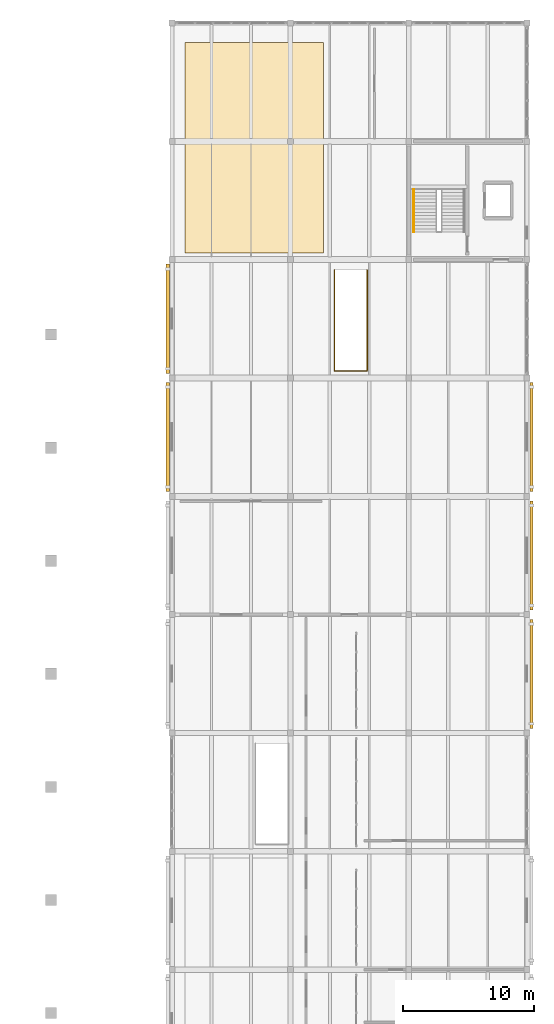
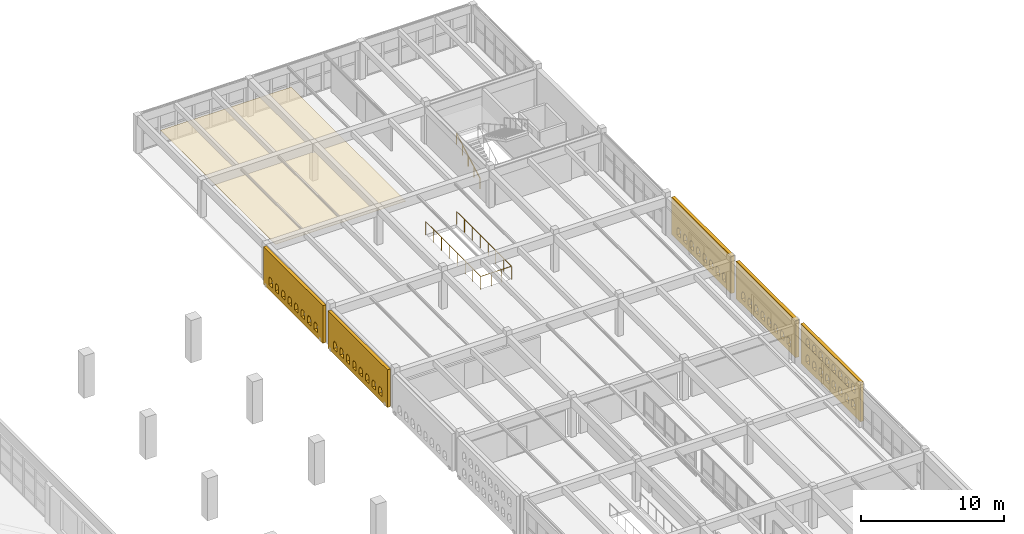
# One storey, part 79 of 80: 6 coverings, 2 railings.
"""IFC4 building model written with IfcOpenShell, lengths in metres."""

from ifc_helpers import new_model, si_unit, direction, frame, origin, origin_2d, place, context, subcontext, project, spatial, polyline, circle, outline, extrude, material, layer, layer_set, type_object, element, save


model = new_model("IFC4")

# Units and contexts
model_context = context("Model", 3, precision=1e-05, world=origin(), true_north=direction((0.0, 1.0)))
body_context = subcontext(model_context, "Body", "Model", "MODEL_VIEW")
ifc_project = project(units=[si_unit("LENGTHUNIT", "METRE"), si_unit("AREAUNIT", "SQUARE_METRE"), si_unit("VOLUMEUNIT", "CUBIC_METRE"), si_unit("PLANEANGLEUNIT", "RADIAN"), si_unit("MASSUNIT", "GRAM", prefix="KILO")], contexts=[model_context])

# Site, building, storey
site_placement = place(None, origin())
site = spatial("IfcSite", under=ifc_project, at=site_placement, CompositionType="ELEMENT")
building_placement = place(site_placement, origin())
building = spatial("IfcBuilding", under=site, at=building_placement, Name="Ornek Quay Market", CompositionType="ELEMENT")
storey_placement = place(building_placement, frame((0.0, 0.0, 8.39990234375)))
storey = spatial("IfcBuildingStorey", under=building, at=storey_placement, Name="L02", CompositionType="ELEMENT", Elevation=8.39990234375)

# Coverings
ifc_material_1 = material(Name="Frost-resistant facing clay brick M200 F100", Category="masonry")
ifc_layer_1 = layer(ifc_material_1, 0.25, Name="Frost-resistant facing clay brick M200 F100", Category="masonry")
ifc_layer_set_1 = layer_set([ifc_layer_1], Name="Frost-resistant facing clay brick M200 F100")
covering_type_1 = type_object("IfcCoveringType", Name="COV-BRICK-LATTICE-250", PredefinedType="CLADDING", material=ifc_layer_set_1)
covering_1_placement = place(storey_placement, frame((152.669921875, 74.35009765625, 0.0), z_axis=(0.0, 0.0, 1.0), x_axis=(0.0, 1.0, 0.0)))
element("IfcCovering", 1, at=covering_1_placement, inside=storey, type_object=covering_type_1, Name="Arched brick lattice screen BLS-080", PredefinedType="CLADDING", context=body_context, shape_type="SweptSolid", body=[
    extrude(outline(polyline([(0.0, 0.0), (8.2998046875, 0.0), (8.2998046875, 3.2001953125), (0.0, 3.2001953125), (0.0, 0.0)]), holes=[polyline([(0.760009765625, 0.449951171875), (1.239990234375, 0.449951171875), (1.239990234375, 0.949951171875), (1.1201171875, 1.15771484375), (0.8798828125, 1.15771484375), (0.760009765625, 0.949951171875), (0.760009765625, 0.449951171875)]), polyline([(1.659912109375, 0.449951171875), (2.139892578125, 0.449951171875), (2.139892578125, 0.949951171875), (2.02001953125, 1.15771484375), (1.780029296875, 1.15771484375), (1.659912109375, 0.949951171875), (1.659912109375, 0.449951171875)]), polyline([(2.56005859375, 0.449951171875), (3.0400390625, 0.449951171875), (3.0400390625, 0.949951171875), (2.919921875, 1.15771484375), (2.679931640625, 1.15771484375), (2.56005859375, 0.949951171875), (2.56005859375, 0.449951171875)]), polyline([(3.4599609375, 0.449951171875), (3.93994140625, 0.449951171875), (3.93994140625, 0.949951171875), (3.820068359375, 1.15771484375), (3.580078125, 1.15771484375), (3.4599609375, 0.949951171875), (3.4599609375, 0.449951171875)]), polyline([(4.360107421875, 0.449951171875), (4.840087890625, 0.449951171875), (4.840087890625, 0.949951171875), (4.719970703125, 1.15771484375), (4.47998046875, 1.15771484375), (4.360107421875, 0.949951171875), (4.360107421875, 0.449951171875)]), polyline([(5.260009765625, 0.449951171875), (5.739990234375, 0.449951171875), (5.739990234375, 0.949951171875), (5.6201171875, 1.15771484375), (5.3798828125, 1.15771484375), (5.260009765625, 0.949951171875), (5.260009765625, 0.449951171875)]), polyline([(6.159912109375, 0.449951171875), (6.639892578125, 0.449951171875), (6.639892578125, 0.949951171875), (6.52001953125, 1.15771484375), (6.280029296875, 1.15771484375), (6.159912109375, 0.949951171875), (6.159912109375, 0.449951171875)]), polyline([(7.06005859375, 0.449951171875), (7.5400390625, 0.449951171875), (7.5400390625, 0.949951171875), (7.419921875, 1.15771484375), (7.179931640625, 1.15771484375), (7.06005859375, 0.949951171875), (7.06005859375, 0.449951171875)])]), frame((0.0, 0.125, 0.0), z_axis=(0.0, -1.0, 0.0), x_axis=(1.0, 0.0, 0.0)), (0.0, 0.0, 1.0), 0.25),
])
covering_2_placement = place(storey_placement, frame((152.669921875, 83.35009765625, 0.0), z_axis=(0.0, 0.0, 1.0), x_axis=(0.0, 1.0, 0.0)))
element("IfcCovering", 2, at=covering_2_placement, inside=storey, type_object=covering_type_1, Name="Arched brick lattice screen BLS-081", PredefinedType="CLADDING", context=body_context, shape_type="SweptSolid", body=[
    extrude(outline(polyline([(0.0, 0.0), (8.2998046875, 0.0), (8.2998046875, 3.2001953125), (0.0, 3.2001953125), (0.0, 0.0)]), holes=[polyline([(0.760009765625, 0.449951171875), (1.239990234375, 0.449951171875), (1.239990234375, 0.949951171875), (1.1201171875, 1.15771484375), (0.8798828125, 1.15771484375), (0.760009765625, 0.949951171875), (0.760009765625, 0.449951171875)]), polyline([(1.659912109375, 0.449951171875), (2.139892578125, 0.449951171875), (2.139892578125, 0.949951171875), (2.02001953125, 1.15771484375), (1.780029296875, 1.15771484375), (1.659912109375, 0.949951171875), (1.659912109375, 0.449951171875)]), polyline([(2.56005859375, 0.449951171875), (3.0400390625, 0.449951171875), (3.0400390625, 0.949951171875), (2.919921875, 1.15771484375), (2.679931640625, 1.15771484375), (2.56005859375, 0.949951171875), (2.56005859375, 0.449951171875)]), polyline([(3.4599609375, 0.449951171875), (3.93994140625, 0.449951171875), (3.93994140625, 0.949951171875), (3.820068359375, 1.15771484375), (3.580078125, 1.15771484375), (3.4599609375, 0.949951171875), (3.4599609375, 0.449951171875)]), polyline([(4.360107421875, 0.449951171875), (4.840087890625, 0.449951171875), (4.840087890625, 0.949951171875), (4.719970703125, 1.15771484375), (4.47998046875, 1.15771484375), (4.360107421875, 0.949951171875), (4.360107421875, 0.449951171875)]), polyline([(5.260009765625, 0.449951171875), (5.739990234375, 0.449951171875), (5.739990234375, 0.949951171875), (5.6201171875, 1.15771484375), (5.3798828125, 1.15771484375), (5.260009765625, 0.949951171875), (5.260009765625, 0.449951171875)]), polyline([(6.159912109375, 0.449951171875), (6.639892578125, 0.449951171875), (6.639892578125, 0.949951171875), (6.52001953125, 1.15771484375), (6.280029296875, 1.15771484375), (6.159912109375, 0.949951171875), (6.159912109375, 0.449951171875)]), polyline([(7.06005859375, 0.449951171875), (7.5400390625, 0.449951171875), (7.5400390625, 0.949951171875), (7.419921875, 1.15771484375), (7.179931640625, 1.15771484375), (7.06005859375, 0.949951171875), (7.06005859375, 0.449951171875)])]), frame((0.0, 0.125, 0.0), z_axis=(0.0, -1.0, 0.0), x_axis=(1.0, 0.0, 0.0)), (0.0, 0.0, 1.0), 0.25),
])
covering_3_placement = place(storey_placement, frame((180.330078125, 65.35009765625, 0.0), z_axis=(0.0, 0.0, 1.0), x_axis=(0.0, 1.0, 0.0)))
element("IfcCovering", 3, at=covering_3_placement, inside=storey, type_object=covering_type_1, Name="Arched brick lattice screen BLS-082", PredefinedType="CLADDING", context=body_context, shape_type="SweptSolid", body=[
    extrude(outline(polyline([(0.0, 0.0), (8.2998046875, 0.0), (8.2998046875, 3.2001953125), (0.0, 3.2001953125), (0.0, 0.0)]), holes=[polyline([(0.760009765625, 0.449951171875), (1.239990234375, 0.449951171875), (1.239990234375, 0.949951171875), (1.1201171875, 1.15771484375), (0.8798828125, 1.15771484375), (0.760009765625, 0.949951171875), (0.760009765625, 0.449951171875)]), polyline([(1.659912109375, 0.449951171875), (2.139892578125, 0.449951171875), (2.139892578125, 0.949951171875), (2.02001953125, 1.15771484375), (1.780029296875, 1.15771484375), (1.659912109375, 0.949951171875), (1.659912109375, 0.449951171875)]), polyline([(2.56005859375, 0.449951171875), (3.0400390625, 0.449951171875), (3.0400390625, 0.949951171875), (2.919921875, 1.15771484375), (2.679931640625, 1.15771484375), (2.56005859375, 0.949951171875), (2.56005859375, 0.449951171875)]), polyline([(3.4599609375, 0.449951171875), (3.93994140625, 0.449951171875), (3.93994140625, 0.949951171875), (3.820068359375, 1.15771484375), (3.580078125, 1.15771484375), (3.4599609375, 0.949951171875), (3.4599609375, 0.449951171875)]), polyline([(4.360107421875, 0.449951171875), (4.840087890625, 0.449951171875), (4.840087890625, 0.949951171875), (4.719970703125, 1.15771484375), (4.47998046875, 1.15771484375), (4.360107421875, 0.949951171875), (4.360107421875, 0.449951171875)]), polyline([(5.260009765625, 0.449951171875), (5.739990234375, 0.449951171875), (5.739990234375, 0.949951171875), (5.6201171875, 1.15771484375), (5.3798828125, 1.15771484375), (5.260009765625, 0.949951171875), (5.260009765625, 0.449951171875)]), polyline([(6.159912109375, 0.449951171875), (6.639892578125, 0.449951171875), (6.639892578125, 0.949951171875), (6.52001953125, 1.15771484375), (6.280029296875, 1.15771484375), (6.159912109375, 0.949951171875), (6.159912109375, 0.449951171875)]), polyline([(7.06005859375, 0.449951171875), (7.5400390625, 0.449951171875), (7.5400390625, 0.949951171875), (7.419921875, 1.15771484375), (7.179931640625, 1.15771484375), (7.06005859375, 0.949951171875), (7.06005859375, 0.449951171875)])]), frame((0.0, 0.125, 0.0), z_axis=(0.0, -1.0, 0.0), x_axis=(1.0, 0.0, 0.0)), (0.0, 0.0, 1.0), 0.25),
])
covering_4_placement = place(storey_placement, frame((180.330078125, 74.35009765625, 0.0), z_axis=(0.0, 0.0, 1.0), x_axis=(0.0, 1.0, 0.0)))
element("IfcCovering", 4, at=covering_4_placement, inside=storey, type_object=covering_type_1, Name="Arched brick lattice screen BLS-083", PredefinedType="CLADDING", context=body_context, shape_type="SweptSolid", body=[
    extrude(outline(polyline([(0.0, 0.0), (8.2998046875, 0.0), (8.2998046875, 3.2001953125), (0.0, 3.2001953125), (0.0, 0.0)]), holes=[polyline([(0.760009765625, 0.449951171875), (1.239990234375, 0.449951171875), (1.239990234375, 0.949951171875), (1.1201171875, 1.15771484375), (0.8798828125, 1.15771484375), (0.760009765625, 0.949951171875), (0.760009765625, 0.449951171875)]), polyline([(1.659912109375, 0.449951171875), (2.139892578125, 0.449951171875), (2.139892578125, 0.949951171875), (2.02001953125, 1.15771484375), (1.780029296875, 1.15771484375), (1.659912109375, 0.949951171875), (1.659912109375, 0.449951171875)]), polyline([(2.56005859375, 0.449951171875), (3.0400390625, 0.449951171875), (3.0400390625, 0.949951171875), (2.919921875, 1.15771484375), (2.679931640625, 1.15771484375), (2.56005859375, 0.949951171875), (2.56005859375, 0.449951171875)]), polyline([(3.4599609375, 0.449951171875), (3.93994140625, 0.449951171875), (3.93994140625, 0.949951171875), (3.820068359375, 1.15771484375), (3.580078125, 1.15771484375), (3.4599609375, 0.949951171875), (3.4599609375, 0.449951171875)]), polyline([(4.360107421875, 0.449951171875), (4.840087890625, 0.449951171875), (4.840087890625, 0.949951171875), (4.719970703125, 1.15771484375), (4.47998046875, 1.15771484375), (4.360107421875, 0.949951171875), (4.360107421875, 0.449951171875)]), polyline([(5.260009765625, 0.449951171875), (5.739990234375, 0.449951171875), (5.739990234375, 0.949951171875), (5.6201171875, 1.15771484375), (5.3798828125, 1.15771484375), (5.260009765625, 0.949951171875), (5.260009765625, 0.449951171875)]), polyline([(6.159912109375, 0.449951171875), (6.639892578125, 0.449951171875), (6.639892578125, 0.949951171875), (6.52001953125, 1.15771484375), (6.280029296875, 1.15771484375), (6.159912109375, 0.949951171875), (6.159912109375, 0.449951171875)]), polyline([(7.06005859375, 0.449951171875), (7.5400390625, 0.449951171875), (7.5400390625, 0.949951171875), (7.419921875, 1.15771484375), (7.179931640625, 1.15771484375), (7.06005859375, 0.949951171875), (7.06005859375, 0.449951171875)])]), frame((0.0, 0.125, 0.0), z_axis=(0.0, -1.0, 0.0), x_axis=(1.0, 0.0, 0.0)), (0.0, 0.0, 1.0), 0.25),
])
covering_5_placement = place(storey_placement, frame((180.330078125, 56.35009765625, 0.0), z_axis=(0.0, 0.0, 1.0), x_axis=(0.0, 1.0, 0.0)))
element("IfcCovering", 5, at=covering_5_placement, inside=storey, type_object=covering_type_1, Name="Arched brick lattice screen BLS-116", PredefinedType="CLADDING", context=body_context, shape_type="SweptSolid", body=[
    extrude(outline(polyline([(0.0, 0.0), (8.2998046875, 0.0), (8.2998046875, 3.35009765625), (0.0, 3.35009765625), (0.0, 0.0)]), holes=[polyline([(0.760009765625, 0.550048828125), (1.239990234375, 0.550048828125), (1.239990234375, 1.050048828125), (1.1201171875, 1.2578125), (0.8798828125, 1.2578125), (0.760009765625, 1.050048828125), (0.760009765625, 0.550048828125)]), polyline([(0.760009765625, 1.949951171875), (1.239990234375, 1.949951171875), (1.239990234375, 2.449951171875), (1.1201171875, 2.65771484375), (0.8798828125, 2.65771484375), (0.760009765625, 2.449951171875), (0.760009765625, 1.949951171875)]), polyline([(1.659912109375, 0.550048828125), (2.139892578125, 0.550048828125), (2.139892578125, 1.050048828125), (2.02001953125, 1.2578125), (1.780029296875, 1.2578125), (1.659912109375, 1.050048828125), (1.659912109375, 0.550048828125)]), polyline([(1.659912109375, 1.949951171875), (2.139892578125, 1.949951171875), (2.139892578125, 2.449951171875), (2.02001953125, 2.65771484375), (1.780029296875, 2.65771484375), (1.659912109375, 2.449951171875), (1.659912109375, 1.949951171875)]), polyline([(2.56005859375, 0.550048828125), (3.0400390625, 0.550048828125), (3.0400390625, 1.050048828125), (2.919921875, 1.2578125), (2.679931640625, 1.2578125), (2.56005859375, 1.050048828125), (2.56005859375, 0.550048828125)]), polyline([(2.56005859375, 1.949951171875), (3.0400390625, 1.949951171875), (3.0400390625, 2.449951171875), (2.919921875, 2.65771484375), (2.679931640625, 2.65771484375), (2.56005859375, 2.449951171875), (2.56005859375, 1.949951171875)]), polyline([(3.4599609375, 0.550048828125), (3.93994140625, 0.550048828125), (3.93994140625, 1.050048828125), (3.820068359375, 1.2578125), (3.580078125, 1.2578125), (3.4599609375, 1.050048828125), (3.4599609375, 0.550048828125)]), polyline([(3.4599609375, 1.949951171875), (3.93994140625, 1.949951171875), (3.93994140625, 2.449951171875), (3.820068359375, 2.65771484375), (3.580078125, 2.65771484375), (3.4599609375, 2.449951171875), (3.4599609375, 1.949951171875)]), polyline([(4.360107421875, 0.550048828125), (4.840087890625, 0.550048828125), (4.840087890625, 1.050048828125), (4.719970703125, 1.2578125), (4.47998046875, 1.2578125), (4.360107421875, 1.050048828125), (4.360107421875, 0.550048828125)]), polyline([(4.360107421875, 1.949951171875), (4.840087890625, 1.949951171875), (4.840087890625, 2.449951171875), (4.719970703125, 2.65771484375), (4.47998046875, 2.65771484375), (4.360107421875, 2.449951171875), (4.360107421875, 1.949951171875)]), polyline([(5.260009765625, 0.550048828125), (5.739990234375, 0.550048828125), (5.739990234375, 1.050048828125), (5.6201171875, 1.2578125), (5.3798828125, 1.2578125), (5.260009765625, 1.050048828125), (5.260009765625, 0.550048828125)]), polyline([(5.260009765625, 1.949951171875), (5.739990234375, 1.949951171875), (5.739990234375, 2.449951171875), (5.6201171875, 2.65771484375), (5.3798828125, 2.65771484375), (5.260009765625, 2.449951171875), (5.260009765625, 1.949951171875)]), polyline([(6.159912109375, 0.550048828125), (6.639892578125, 0.550048828125), (6.639892578125, 1.050048828125), (6.52001953125, 1.2578125), (6.280029296875, 1.2578125), (6.159912109375, 1.050048828125), (6.159912109375, 0.550048828125)]), polyline([(6.159912109375, 1.949951171875), (6.639892578125, 1.949951171875), (6.639892578125, 2.449951171875), (6.52001953125, 2.65771484375), (6.280029296875, 2.65771484375), (6.159912109375, 2.449951171875), (6.159912109375, 1.949951171875)]), polyline([(7.06005859375, 0.550048828125), (7.5400390625, 0.550048828125), (7.5400390625, 1.050048828125), (7.419921875, 1.2578125), (7.179931640625, 1.2578125), (7.06005859375, 1.050048828125), (7.06005859375, 0.550048828125)]), polyline([(7.06005859375, 1.949951171875), (7.5400390625, 1.949951171875), (7.5400390625, 2.449951171875), (7.419921875, 2.65771484375), (7.179931640625, 2.65771484375), (7.06005859375, 2.449951171875), (7.06005859375, 1.949951171875)])]), frame((0.0, 0.125, 0.0), z_axis=(0.0, -1.0, 0.0), x_axis=(1.0, 0.0, 0.0)), (0.0, 0.0, 1.0), 0.25),
])
ifc_material_2 = material(Name="Moisture-resistant acoustic gypsum ceiling", Category="other")
ifc_layer_2 = layer(ifc_material_2, 0.030029296875, Name="Moisture-resistant acoustic gypsum ceiling", Category="other")
ifc_layer_set_2 = layer_set([ifc_layer_2], Name="Moisture-resistant acoustic gypsum ceiling")
covering_type_2 = type_object("IfcCoveringType", Name="COV-CEIL-GYP-30", PredefinedType="CEILING", material=ifc_layer_set_2)
covering_6_placement = place(storey_placement, frame((0.0, 0.0, 2.35009765625)))
element("IfcCovering", 6, at=covering_6_placement, inside=storey, type_object=covering_type_2, Name="Suspended acoustic ceiling CLG-08", PredefinedType="CEILING", context=body_context, shape_type="SweptSolid", body=[
    extrude(outline(polyline([(154.0, 92.5), (164.5, 92.5), (164.5, 108.5), (154.0, 108.5), (154.0, 92.5)])), origin(), (0.0, 0.0, 1.0), 0.030029296875),
])

# Railings
ifc_material_3 = material(Name="Painted steel S355 and vertical infill bars", Category="steel")
railing_type_1 = type_object("IfcRailingType", Name="RL-GUARD-GAL-1100", PredefinedType="GUARDRAIL", material=ifc_material_3)
railing_1_placement = place(storey_placement, frame((165.360107421875, 91.199951171875, 0.0)))
element("IfcRailing", 7, at=railing_1_placement, inside=storey, type_object=railing_type_1, Name="Railing GR-01-104", PredefinedType="GUARDRAIL", context=body_context, shape_type="SweptSolid", body=[
    extrude(circle(Radius=0.02392578125, at=origin_2d()), frame((0.0, 0.0, 1.09619140625), z_axis=(0.0, -1.0, 0.0), x_axis=(1.0, 0.0, 0.0)), (0.0, 0.0, 1.0), 7.6298828125),
    extrude(circle(Radius=0.02392578125, at=origin_2d()), frame((0.030029296875, -7.659912109375, 1.09619140625), z_axis=(1.0, 0.0, 0.0), x_axis=(0.0, 1.0, 0.0)), (0.0, 0.0, 1.0), 2.419921875),
    extrude(circle(Radius=0.02392578125, at=origin_2d()), frame((2.47998046875, -7.6298828125, 1.09619140625), z_axis=(0.0, 1.0, 0.0), x_axis=(-1.0, 0.0, 0.0)), (0.0, 0.0, 1.0), 7.6298828125),
    extrude(circle(Radius=0.02099609375, at=origin_2d()), origin(), (0.0, 0.0, 1.0), 1.068115234375),
    extrude(circle(Radius=0.02099609375, at=origin_2d()), frame((0.0, -1.09423828125, 0.0)), (0.0, 0.0, 1.0), 1.068115234375),
    extrude(circle(Radius=0.02099609375, at=origin_2d()), frame((0.0, -2.1884765625, 0.0)), (0.0, 0.0, 1.0), 1.068115234375),
    extrude(circle(Radius=0.02099609375, at=origin_2d()), frame((0.0, -3.28271484375, 0.0)), (0.0, 0.0, 1.0), 1.068115234375),
    extrude(circle(Radius=0.02099609375, at=origin_2d()), frame((0.0, -4.377197265625, 0.0)), (0.0, 0.0, 1.0), 1.068115234375),
    extrude(circle(Radius=0.02099609375, at=origin_2d()), frame((0.0, -5.471435546875, 0.0)), (0.0, 0.0, 1.0), 1.068115234375),
    extrude(circle(Radius=0.02099609375, at=origin_2d()), frame((0.0, -6.565673828125, 0.0)), (0.0, 0.0, 1.0), 1.068115234375),
    extrude(circle(Radius=0.02099609375, at=origin_2d()), frame((0.0, -7.659912109375, 0.0)), (0.0, 0.0, 1.0), 1.068115234375),
    extrude(circle(Radius=0.02099609375, at=origin_2d()), frame((0.82666015625, -7.659912109375, 0.0)), (0.0, 0.0, 1.0), 1.068115234375),
    extrude(circle(Radius=0.02099609375, at=origin_2d()), frame((1.6533203125, -7.659912109375, 0.0)), (0.0, 0.0, 1.0), 1.068115234375),
    extrude(circle(Radius=0.02099609375, at=origin_2d()), frame((2.47998046875, -7.659912109375, 0.0)), (0.0, 0.0, 1.0), 1.068115234375),
    extrude(circle(Radius=0.02099609375, at=origin_2d()), frame((2.47998046875, -6.565673828125, 0.0)), (0.0, 0.0, 1.0), 1.068115234375),
    extrude(circle(Radius=0.02099609375, at=origin_2d()), frame((2.47998046875, -5.471435546875, 0.0)), (0.0, 0.0, 1.0), 1.068115234375),
    extrude(circle(Radius=0.02099609375, at=origin_2d()), frame((2.47998046875, -4.377197265625, 0.0)), (0.0, 0.0, 1.0), 1.068115234375),
    extrude(circle(Radius=0.02099609375, at=origin_2d()), frame((2.47998046875, -3.28271484375, 0.0)), (0.0, 0.0, 1.0), 1.068115234375),
    extrude(circle(Radius=0.02099609375, at=origin_2d()), frame((2.47998046875, -2.1884765625, 0.0)), (0.0, 0.0, 1.0), 1.068115234375),
    extrude(circle(Radius=0.02099609375, at=origin_2d()), frame((2.47998046875, -1.09423828125, 0.0)), (0.0, 0.0, 1.0), 1.068115234375),
    extrude(circle(Radius=0.02099609375, at=origin_2d()), frame((2.47998046875, 0.0, 0.0)), (0.0, 0.0, 1.0), 1.068115234375),
])
ifc_material_4 = material(Name="Brushed stainless steel 316", Category="steel")
railing_type_2 = type_object("IfcRailingType", Name="RL-HANDRAIL-920", PredefinedType="HANDRAIL", material=ifc_material_4)
railing_2_placement = place(storey_placement, frame((171.3798828125, 94.095947265625, 0.080078125)))
element("IfcRailing", 8, at=railing_2_placement, inside=storey, type_object=railing_type_2, Name="Railing HR-01-046", PredefinedType="HANDRAIL", context=body_context, shape_type="SweptSolid", body=[
    extrude(circle(Radius=0.02392578125, at=origin_2d()), frame((0.0, 0.0, 0.89599609375), z_axis=(0.0, 0.874538622819, 0.484955871393), x_axis=(-1.0, 0.0, 0.0)), (0.0, 0.0, 1.0), 3.711669921875),
    extrude(circle(Radius=0.02099609375, at=origin_2d()), origin(), (0.0, 0.0, 1.0), 0.867919921875),
    extrude(circle(Radius=0.02099609375, at=origin_2d()), frame((0.0, 0.8115234375, 0.449951171875)), (0.0, 0.0, 1.0), 0.867919921875),
    extrude(circle(Radius=0.02099609375, at=origin_2d()), frame((0.0, 1.623046875, 0.89990234375)), (0.0, 0.0, 1.0), 0.867919921875),
    extrude(circle(Radius=0.02099609375, at=origin_2d()), frame((0.0, 2.4345703125, 1.35009765625)), (0.0, 0.0, 1.0), 0.867919921875),
    extrude(circle(Radius=0.02099609375, at=origin_2d()), frame((0.0, 3.24609375, 1.800048828125)), (0.0, 0.0, 1.0), 0.867919921875),
])

save(model, "model.ifc")
